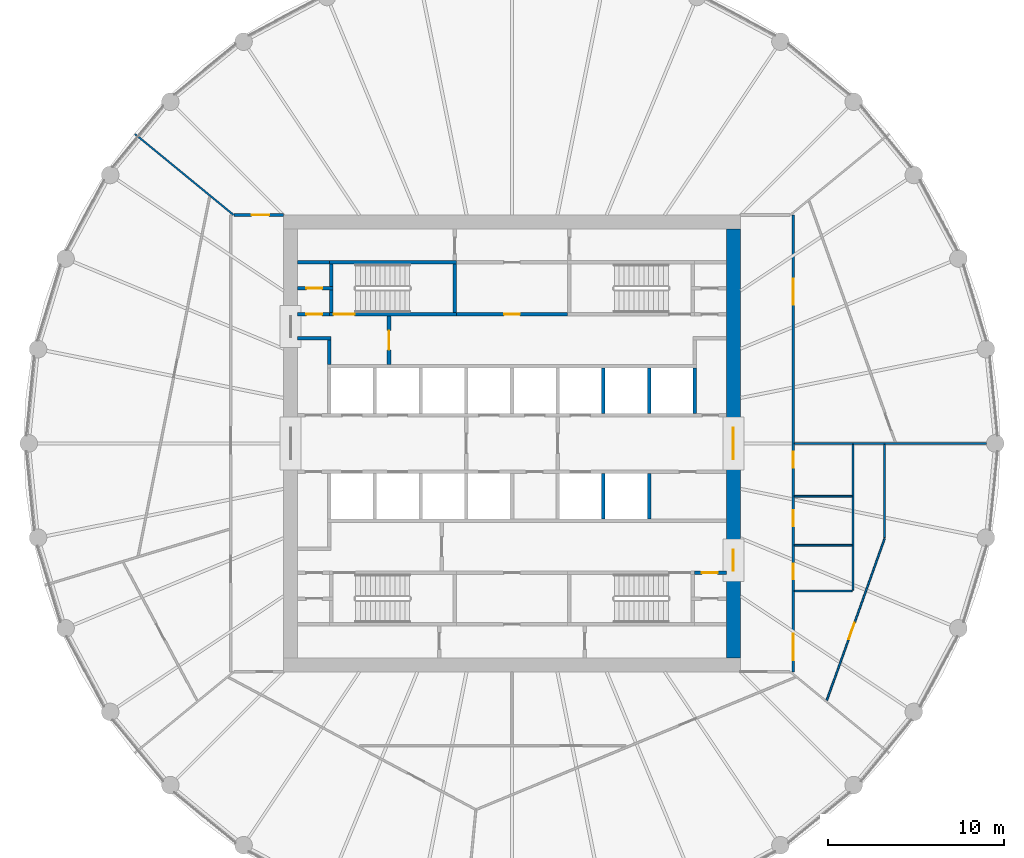
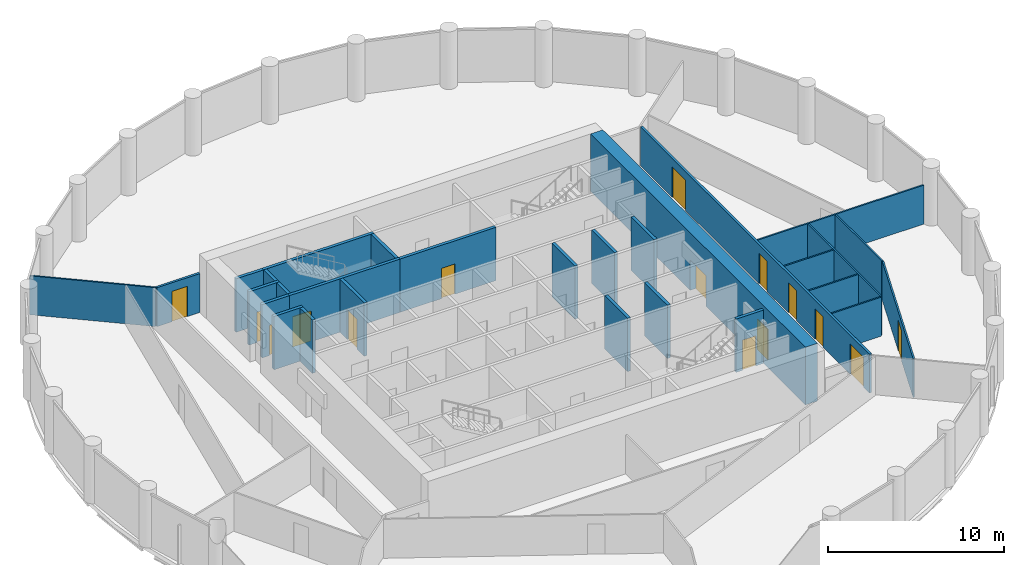
# One storey, part 6 of 8: 29 walls, 15 doors, 15 openings.
"""IFC4 building model written with IfcOpenShell, lengths in metres."""

import ifcopenshell
import ifcopenshell.guid

model = None  # the IFC model being written
_history = None  # IfcOwnerHistory: only IFC2X3 demands one
_inside = {}  # id of a spatial element -> (the spatial element, [elements in it])
_under = {}  # id of a project, library or spatial element -> (it, [spatial elements below it])
_declared = {}  # id of a project -> (the project, [libraries it declares])
_typed = {}  # id of a type object -> (the type object, [elements of that type])
_made_of = {}  # id of a material, layer set ... -> (it, [elements and type objects made of it])


def new_model(schema):
    """Start an empty IFC model of exactly this schema.

    Asked for "IFC4X3", IfcOpenShell would pick the latest addendum, in which some entities
    have other attributes; the version numbers below select the first issue.
    IFC2X3 requires an IfcOwnerHistory on every rooted entity: one is made here for all.
    """
    global model, _history
    if schema == "IFC4X3":
        model = ifcopenshell.file(schema_version=(4, 3, 0, 0))
    else:
        model = ifcopenshell.file(schema=schema)
    _inside.clear()
    _under.clear()
    _declared.clear()
    _typed.clear()
    _made_of.clear()
    _history = None
    if model.schema == "IFC2X3":
        org = make("IfcOrganization", Name="unknown")
        user = make(
            "IfcPersonAndOrganization",
            ThePerson=make("IfcPerson", FamilyName="unknown"),
            TheOrganization=org,
        )
        app = make(
            "IfcApplication",
            ApplicationDeveloper=org,
            Version="unknown",
            ApplicationFullName="unknown",
            ApplicationIdentifier="unknown",
        )
        _history = make(
            "IfcOwnerHistory",
            OwningUser=user,
            OwningApplication=app,
            ChangeAction="ADDED",
            CreationDate=0,
        )
    return model


def make(cls, **values):
    """One entity of the class cls with the attributes given. An attribute that is None is left unset."""
    return model.create_entity(
        cls, **{name: value for name, value in values.items() if value is not None}
    )


def rooted(cls, **values):
    """An entity with a GlobalId (a new one), such as an element, a storey or a relation."""
    return make(cls, GlobalId=ifcopenshell.guid.new(), OwnerHistory=_history, **values)


def si_unit(unit_type, name, prefix=None):
    """IfcSIUnit, for example si_unit("LENGTHUNIT", "METRE", prefix="MILLI")."""
    return make("IfcSIUnit", UnitType=unit_type, Prefix=prefix, Name=name)


def assignment(units):
    """IfcUnitAssignment: the units of a project."""
    return None if units is None else make("IfcUnitAssignment", Units=units)


def point(xyz):
    """IfcCartesianPoint."""
    return None if xyz is None else make("IfcCartesianPoint", Coordinates=xyz)


def direction(xyz):
    """IfcDirection."""
    return None if xyz is None else make("IfcDirection", DirectionRatios=xyz)


def frame(location, z_axis=None, x_axis=None):
    """IfcAxis2Placement3D, a coordinate frame: its origin and axes. An axis left out is left unset."""
    return make(
        "IfcAxis2Placement3D",
        Location=point(location),
        Axis=direction(z_axis),
        RefDirection=direction(x_axis),
    )


def frame_2d(location, x_axis=None):
    """IfcAxis2Placement2D, a coordinate frame in the plane: its origin and x axis."""
    return make(
        "IfcAxis2Placement2D", Location=point(location), RefDirection=direction(x_axis)
    )


def origin():
    """The frame at (0, 0, 0) with its axes left unset."""
    return frame((0.0, 0.0, 0.0))


def place(relative_to, where):
    """IfcLocalPlacement: puts the frame where relative to a parent placement (None: the world)."""
    return make(
        "IfcLocalPlacement", PlacementRelTo=relative_to, RelativePlacement=where
    )


def context(
    kind, dimensions, precision=None, world=None, true_north=None, identifier=None
):
    """IfcGeometricRepresentationContext, for example the 3D "Model" context."""
    return make(
        "IfcGeometricRepresentationContext",
        ContextIdentifier=identifier,
        ContextType=kind,
        CoordinateSpaceDimension=dimensions,
        Precision=precision,
        WorldCoordinateSystem=world,
        TrueNorth=true_north,
    )


def subcontext(parent, identifier, kind, view, scale=None):
    """IfcGeometricRepresentationSubContext, for example "Body" below "Model"."""
    return make(
        "IfcGeometricRepresentationSubContext",
        ContextIdentifier=identifier,
        ContextType=kind,
        ParentContext=parent,
        TargetScale=scale,
        TargetView=view,
    )


def project(units=None, contexts=None):
    """IfcProject with its units and contexts."""
    return rooted(
        "IfcProject",
        Name="project",
        RepresentationContexts=contexts,
        UnitsInContext=assignment(units),
    )


def spatial(cls, under=None, at=None, **own):
    """A site, building, storey or space (cls), placed at a placement, below another one or the project."""
    s = rooted(cls, ObjectPlacement=at, **own)
    if under is not None:
        _under.setdefault(under.id(), (under, []))[1].append(s)
    return s


def polyline(points):
    """IfcPolyline through the points."""
    return make("IfcPolyline", Points=[point(p) for p in points])


def profile(cls, at=None, kind="AREA", **sizes):
    """A parametric profile (cls). Its sizes go by their IFC names, for example OverallWidth=200.0."""
    return make(cls, ProfileType=kind, Position=at, **sizes)


def rectangle(**sizes):
    """IfcRectangleProfileDef."""
    return profile("IfcRectangleProfileDef", **sizes)


def outline(outer, holes=None, kind="AREA"):
    """IfcArbitraryClosedProfileDef: a profile drawn as a closed curve; with holes, ...WithVoids."""
    if holes is None:
        return make("IfcArbitraryClosedProfileDef", ProfileType=kind, OuterCurve=outer)
    return make(
        "IfcArbitraryProfileDefWithVoids",
        ProfileType=kind,
        OuterCurve=outer,
        InnerCurves=holes,
    )


def extrude(swept, where, along, depth):
    """IfcExtrudedAreaSolid: the profile swept, set in the frame where, extruded along a direction by depth."""
    return make(
        "IfcExtrudedAreaSolid",
        SweptArea=swept,
        Position=where,
        ExtrudedDirection=direction(along),
        Depth=depth,
    )


def shape(context_of_items, identifier, shape_type, items):
    """IfcShapeRepresentation: the items that make up one representation, for example the "Body"."""
    return make(
        "IfcShapeRepresentation",
        ContextOfItems=context_of_items,
        RepresentationIdentifier=identifier,
        RepresentationType=shape_type,
        Items=items,
    )


def material(Name=None, Category=None):
    """IfcMaterial."""
    return make("IfcMaterial", Name=Name, Category=Category)


def layer(
    of_material, thickness, ventilated=None, Name=None, Category=None, Priority=None
):
    """IfcMaterialLayer: one layer of a wall or slab, of a material (None: an air gap)."""
    return make(
        "IfcMaterialLayer",
        Material=of_material,
        LayerThickness=thickness,
        IsVentilated=ventilated,
        Name=Name,
        Category=Category,
        Priority=Priority,
    )


def layer_set(layers, Name=None):
    """IfcMaterialLayerSet."""
    return make("IfcMaterialLayerSet", MaterialLayers=layers, LayerSetName=Name)


def made_of(thing, what):
    """Note that an element or type object is made of a material, layer set ...; save() writes the relation."""
    if what is not None:
        _made_of.setdefault(what.id(), (what, []))[1].append(thing)
    return thing


def type_object(cls, material=None, **own):
    """A type object (cls), such as IfcWallType, which elements share."""
    return made_of(rooted(cls, **own), material)


def element(
    cls,
    number,
    at=None,
    inside=None,
    cuts=None,
    type_object=None,
    material=None,
    context=None,
    identifier="Body",
    shape_type=None,
    held_by="IfcProductDefinitionShape",
    body=None,
    shapes=None,
    **own,
):
    """One element of the class cls, such as IfcWall. Its Tag is "e" and its number.

    at: its placement. inside: the storey or other place that contains it. cuts: it is an
    opening in that element (IfcRelVoidsElement). A single representation is given by context,
    identifier, shape_type and body (its items); several are given by shapes. held_by: the class
    of the entity that holds the representations. save() writes the other relations.
    """
    e = rooted(cls, Tag="e%d" % number, ObjectPlacement=at, **own)
    if body is not None:
        shapes = [shape(context, identifier, shape_type, body)]
    if shapes is not None:
        e.Representation = make(held_by, Representations=shapes)
    if inside is not None:
        _inside.setdefault(inside.id(), (inside, []))[1].append(e)
    if cuts is not None:
        rooted(
            "IfcRelVoidsElement", RelatingBuildingElement=cuts, RelatedOpeningElement=e
        )
    if type_object is not None:
        _typed.setdefault(type_object.id(), (type_object, []))[1].append(e)
    return made_of(e, material)


def fill(opening, filler):
    """IfcRelFillsElement: the door or window that sits in an opening."""
    return rooted(
        "IfcRelFillsElement",
        RelatingOpeningElement=opening,
        RelatedBuildingElement=filler,
    )


def aggregate(whole, parts):
    """IfcRelAggregates: a whole, such as a stair, and the parts it consists of."""
    return rooted("IfcRelAggregates", RelatingObject=whole, RelatedObjects=parts)


def save(model, path):
    """Write the relations noted so far, then the file.

    IfcRelAggregates (storeys below a building ...), IfcRelContainedInSpatialStructure (elements
    in a storey), IfcRelDefinesByType, IfcRelAssociatesMaterial and IfcRelDeclares: one each for
    every whole, place, type object, material and project.
    """
    for whole, parts in _under.values():
        aggregate(whole, parts)
    for where, things in _inside.values():
        rooted(
            "IfcRelContainedInSpatialStructure",
            RelatedElements=things,
            RelatingStructure=where,
        )
    for kind, things in _typed.values():
        rooted("IfcRelDefinesByType", RelatedObjects=things, RelatingType=kind)
    for what, things in _made_of.values():
        rooted("IfcRelAssociatesMaterial", RelatedObjects=things, RelatingMaterial=what)
    for by, libraries in _declared.values():
        rooted("IfcRelDeclares", RelatingContext=by, RelatedDefinitions=libraries)
    model.write(path)


model = new_model("IFC4")

# Units and contexts
model_context = context("Model", 3, precision=1e-05, world=origin(), true_north=direction((0.0, 1.0)))
body_context = subcontext(model_context, "Body", "Model", "MODEL_VIEW")
ifc_project = project(units=[si_unit("LENGTHUNIT", "METRE"), si_unit("AREAUNIT", "SQUARE_METRE"), si_unit("VOLUMEUNIT", "CUBIC_METRE"), si_unit("PLANEANGLEUNIT", "RADIAN"), si_unit("MASSUNIT", "GRAM", prefix="KILO")], contexts=[model_context])

# Site, building, storey
site_placement = place(None, origin())
site = spatial("IfcSite", under=ifc_project, at=site_placement, CompositionType="ELEMENT")
building_placement = place(site_placement, origin())
building = spatial("IfcBuilding", under=site, at=building_placement, Name="Corvane Civic Tower", CompositionType="ELEMENT")
storey_placement = place(building_placement, frame((0.0, 0.0, 205.5)))
storey = spatial("IfcBuildingStorey", under=building, at=storey_placement, Name="L48", CompositionType="ELEMENT", Elevation=205.5)

# Wall, openings, doors
ifc_material_1 = material(Name="Concrete C50/60", Category="concrete")
ifc_layer_1 = layer(ifc_material_1, 0.800048828125)
ifc_layer_set_1 = layer_set([ifc_layer_1], Name="Concrete C50/60")
wall_type_1 = type_object("IfcWallType", Name="CORE WALL 800 C50/60", PredefinedType="SHEAR", material=ifc_layer_set_1)
wall_1_placement = place(storey_placement, frame((12.60009765625, -12.199951171875, 0.0), z_axis=(0.0, 0.0, 1.0), x_axis=(0.0, 1.0, 0.0)))
wall_1 = element("IfcWall", 1, at=wall_1_placement, inside=storey, type_object=wall_type_1, Name="W-L48-core-E", PredefinedType="SHEAR", context=body_context, shape_type="SweptSolid", body=[
    extrude(rectangle(XDim=24.39990234375, YDim=0.800048828125, at=frame_2d((12.199951171875, 0.0))), origin(), (0.0, 0.0, 1.0), 4.0),
])
opening_1_placement = place(wall_1_placement, frame((11.300048828125, 0.0, 0.0)))
opening_1 = element("IfcOpeningElement", 2, at=opening_1_placement, cuts=wall_1, Name="Opening L48.C31", PredefinedType="OPENING", context=body_context, shape_type="SweptSolid", body=[
    extrude(rectangle(XDim=1.800048828125, YDim=2.10009765625, at=frame_2d((0.89990234375, 1.050048828125))), frame((0.0, 0.409912109375, 0.0), z_axis=(0.0, -1.0, 0.0), x_axis=(1.0, 0.0, 0.0)), (0.0, 0.0, 1.0), 0.820068359375),
])
opening_2_placement = place(wall_1_placement, frame((4.949951171875, 0.0, 0.0)))
opening_2 = element("IfcOpeningElement", 3, at=opening_2_placement, cuts=wall_1, Name="Opening L48.C33", PredefinedType="OPENING", context=body_context, shape_type="SweptSolid", body=[
    extrude(rectangle(XDim=1.199951171875, YDim=2.10009765625, at=frame_2d((0.60009765625, 1.050048828125))), frame((0.0, 0.409912109375, 0.0), z_axis=(0.0, -1.0, 0.0), x_axis=(1.0, 0.0, 0.0)), (0.0, 0.0, 1.0), 0.820068359375),
])
ifc_material_2 = material(Name="Steel fire door leaf", Category="steel")
door_type_1 = type_object("IfcDoorType", Name="CR-DOOR-CORE-1800", OperationType="DOUBLE_DOOR_SINGLE_SWING", PredefinedType="DOOR", material=ifc_material_2)
door_1_placement = place(opening_1_placement, origin())
door_1 = element("IfcDoor", 4, at=door_1_placement, inside=storey, type_object=door_type_1, Name="L48 door", OperationType="DOUBLE_DOOR_SINGLE_SWING", OverallHeight=2.10009765625, OverallWidth=1.800048828125, PredefinedType="DOOR", context=body_context, shape_type="SweptSolid", body=[
    extrude(rectangle(XDim=1.800048828125, YDim=2.10009765625, at=frame_2d((0.89990234375, 1.050048828125))), frame((0.0, 0.02490234375, 0.0), z_axis=(0.0, -1.0, 0.0), x_axis=(1.0, 0.0, 0.0)), (0.0, 0.0, 1.0), 0.050048828125),
])
fill(opening_1, door_1)
door_2_placement = place(opening_2_placement, origin())
door_2 = element("IfcDoor", 5, at=door_2_placement, inside=storey, type_object=door_type_1, Name="L48 door", OperationType="DOUBLE_DOOR_SINGLE_SWING", OverallHeight=2.10009765625, OverallWidth=1.199951171875, PredefinedType="DOOR", context=body_context, shape_type="SweptSolid", body=[
    extrude(rectangle(XDim=1.199951171875, YDim=2.10009765625, at=frame_2d((0.60009765625, 1.050048828125))), frame((0.0, 0.02490234375, 0.0), z_axis=(0.0, -1.0, 0.0), x_axis=(1.0, 0.0, 0.0)), (0.0, 0.0, 1.0), 0.050048828125),
])
fill(opening_2, door_2)

# Wall, opening, door
ifc_material_3 = material(Name="Concrete C30/37", Category="concrete")
ifc_layer_2 = layer(ifc_material_3, 0.199951171875)
ifc_layer_set_2 = layer_set([ifc_layer_2], Name="Concrete C30/37")
wall_type_2 = type_object("IfcWallType", Name="CR-WALL-200", PredefinedType="PARTITIONING", material=ifc_layer_set_2)
wall_2_placement = place(storey_placement, frame((10.39990234375, -7.35009765625, 0.0), z_axis=(0.0, 0.0, 1.0), x_axis=(1.0, 0.0, 0.0)))
wall_2 = element("IfcWall", 6, at=wall_2_placement, inside=storey, type_object=wall_type_2, Name="L48 core partition wall", PredefinedType="PARTITIONING", context=body_context, shape_type="SweptSolid", body=[
    extrude(rectangle(XDim=1.800048828125, YDim=0.199951171875, at=frame_2d((0.89990234375, 0.0))), origin(), (0.0, 0.0, 1.0), 3.699951171875),
])
opening_3_placement = place(wall_2_placement, frame((0.39990234375, 0.0, 0.0)))
opening_3 = element("IfcOpeningElement", 7, at=opening_3_placement, cuts=wall_2, Name="Opening L48.C20", PredefinedType="OPENING", context=body_context, shape_type="SweptSolid", body=[
    extrude(rectangle(XDim=0.89990234375, YDim=2.10009765625, at=frame_2d((0.449951171875, 1.050048828125))), frame((0.0, 0.10986328125, 0.0), z_axis=(0.0, -1.0, 0.0), x_axis=(1.0, 0.0, 0.0)), (0.0, 0.0, 1.0), 0.219970703125),
])
ifc_material_4 = material(Name="Steel fire door leaf", Category="steel")
door_type_2 = type_object("IfcDoorType", Name="CR-DOOR-900", OperationType="SINGLE_SWING_LEFT", PredefinedType="DOOR", material=ifc_material_4)
door_3_placement = place(opening_3_placement, origin())
door_3 = element("IfcDoor", 8, at=door_3_placement, inside=storey, type_object=door_type_2, Name="L48 door", OperationType="SINGLE_SWING_LEFT", OverallHeight=2.10009765625, OverallWidth=0.89990234375, PredefinedType="DOOR", context=body_context, shape_type="SweptSolid", body=[
    extrude(rectangle(XDim=0.89990234375, YDim=2.10009765625, at=frame_2d((0.449951171875, 1.050048828125))), frame((0.0, 0.02490234375, 0.0), z_axis=(0.0, -1.0, 0.0), x_axis=(1.0, 0.0, 0.0)), (0.0, 0.0, 1.0), 0.050048828125),
])
fill(opening_3, door_3)

wall_3_placement = place(storey_placement, frame((-12.199951171875, 7.35009765625, 0.0), z_axis=(0.0, 0.0, 1.0), x_axis=(1.0, 0.0, 0.0)))
wall_3 = element("IfcWall", 9, at=wall_3_placement, inside=storey, type_object=wall_type_2, Name="L48 core partition wall", PredefinedType="PARTITIONING", context=body_context, shape_type="SweptSolid", body=[
    extrude(rectangle(XDim=1.800048828125, YDim=0.199951171875, at=frame_2d((0.89990234375, 0.0))), origin(), (0.0, 0.0, 1.0), 3.699951171875),
])
opening_4_placement = place(wall_3_placement, frame((0.5, 0.0, 0.0)))
opening_4 = element("IfcOpeningElement", 10, at=opening_4_placement, cuts=wall_3, Name="Opening L48.C14", PredefinedType="OPENING", context=body_context, shape_type="SweptSolid", body=[
    extrude(rectangle(XDim=0.89990234375, YDim=2.10009765625, at=frame_2d((0.449951171875, 1.050048828125))), frame((0.0, 0.10986328125, 0.0), z_axis=(0.0, -1.0, 0.0), x_axis=(1.0, 0.0, 0.0)), (0.0, 0.0, 1.0), 0.219970703125),
])
door_4_placement = place(opening_4_placement, origin())
door_4 = element("IfcDoor", 11, at=door_4_placement, inside=storey, type_object=door_type_2, Name="L48 door", OperationType="SINGLE_SWING_LEFT", OverallHeight=2.10009765625, OverallWidth=0.89990234375, PredefinedType="DOOR", context=body_context, shape_type="SweptSolid", body=[
    extrude(rectangle(XDim=0.89990234375, YDim=2.10009765625, at=frame_2d((0.449951171875, 1.050048828125))), frame((0.0, 0.02490234375, 0.0), z_axis=(0.0, -1.0, 0.0), x_axis=(1.0, 0.0, 0.0)), (0.0, 0.0, 1.0), 0.050048828125),
])
fill(opening_4, door_4)

wall_4_placement = place(storey_placement, frame((-3.14990234375, 7.35009765625, 0.0), z_axis=(0.0, 0.0, 1.0), x_axis=(1.0, 0.0, 0.0)))
wall_4 = element("IfcWall", 12, at=wall_4_placement, inside=storey, type_object=wall_type_2, Name="L48 core partition wall", PredefinedType="PARTITIONING", context=body_context, shape_type="SweptSolid", body=[
    extrude(rectangle(XDim=6.2998046875, YDim=0.199951171875, at=frame_2d((3.14990234375, 0.0))), origin(), (0.0, 0.0, 1.0), 3.699951171875),
])
opening_5_placement = place(wall_4_placement, frame((2.699951171875, 0.0, 0.0)))
opening_5 = element("IfcOpeningElement", 13, at=opening_5_placement, cuts=wall_4, Name="Opening L48.C06", PredefinedType="OPENING", context=body_context, shape_type="SweptSolid", body=[
    extrude(rectangle(XDim=0.89990234375, YDim=2.10009765625, at=frame_2d((0.449951171875, 1.050048828125))), frame((0.0, 0.10986328125, 0.0), z_axis=(0.0, -1.0, 0.0), x_axis=(1.0, 0.0, 0.0)), (0.0, 0.0, 1.0), 0.219970703125),
])
door_5_placement = place(opening_5_placement, origin())
door_5 = element("IfcDoor", 14, at=door_5_placement, inside=storey, type_object=door_type_2, Name="L48 door", OperationType="SINGLE_SWING_LEFT", OverallHeight=2.10009765625, OverallWidth=0.89990234375, PredefinedType="DOOR", context=body_context, shape_type="SweptSolid", body=[
    extrude(rectangle(XDim=0.89990234375, YDim=2.10009765625, at=frame_2d((0.449951171875, 1.050048828125))), frame((0.0, 0.02490234375, 0.0), z_axis=(0.0, -1.0, 0.0), x_axis=(1.0, 0.0, 0.0)), (0.0, 0.0, 1.0), 0.050048828125),
])
fill(opening_5, door_5)

wall_5_placement = place(storey_placement, frame((-12.199951171875, 8.824951171875, 0.0), z_axis=(0.0, 0.0, 1.0), x_axis=(1.0, 0.0, 0.0)))
wall_5 = element("IfcWall", 15, at=wall_5_placement, inside=storey, type_object=wall_type_2, Name="L48 partition wall", PredefinedType="PARTITIONING", context=body_context, shape_type="SweptSolid", body=[
    extrude(rectangle(XDim=2.0, YDim=0.199951171875, at=frame_2d((1.0, 0.0))), origin(), (0.0, 0.0, 1.0), 3.699951171875),
])
opening_6_placement = place(wall_5_placement, frame((0.5, 0.0, 0.0)))
opening_6 = element("IfcOpeningElement", 16, at=opening_6_placement, cuts=wall_5, Name="Opening L48.C15", PredefinedType="OPENING", context=body_context, shape_type="SweptSolid", body=[
    extrude(rectangle(XDim=0.89990234375, YDim=2.10009765625, at=frame_2d((0.449951171875, 1.050048828125))), frame((0.0, 0.10986328125, 0.0), z_axis=(0.0, -1.0, 0.0), x_axis=(1.0, 0.0, 0.0)), (0.0, 0.0, 1.0), 0.219970703125),
])
door_6_placement = place(opening_6_placement, origin())
door_6 = element("IfcDoor", 17, at=door_6_placement, inside=storey, type_object=door_type_2, Name="L48 door", OperationType="SINGLE_SWING_LEFT", OverallHeight=2.10009765625, OverallWidth=0.89990234375, PredefinedType="DOOR", context=body_context, shape_type="SweptSolid", body=[
    extrude(rectangle(XDim=0.89990234375, YDim=2.10009765625, at=frame_2d((0.449951171875, 1.050048828125))), frame((0.0, 0.02490234375, 0.0), z_axis=(0.0, -1.0, 0.0), x_axis=(1.0, 0.0, 0.0)), (0.0, 0.0, 1.0), 0.050048828125),
])
fill(opening_6, door_6)

wall_6_placement = place(storey_placement, frame((-7.0, 4.5, 0.0), z_axis=(0.0, 0.0, 1.0), x_axis=(0.0, 1.0, 0.0)))
wall_6 = element("IfcWall", 18, at=wall_6_placement, inside=storey, type_object=wall_type_2, Name="L48 core partition wall", PredefinedType="PARTITIONING", context=body_context, shape_type="SweptSolid", body=[
    extrude(rectangle(XDim=2.75, YDim=0.199951171875, at=frame_2d((1.375, 0.0))), origin(), (0.0, 0.0, 1.0), 3.699951171875),
])
opening_7_placement = place(wall_6_placement, frame((0.824951171875, 0.0, 0.0)))
opening_7 = element("IfcOpeningElement", 19, at=opening_7_placement, cuts=wall_6, Name="Opening L48.C28", PredefinedType="OPENING", context=body_context, shape_type="SweptSolid", body=[
    extrude(rectangle(XDim=1.10009765625, YDim=2.10009765625, at=frame_2d((0.550048828125, 1.050048828125))), frame((0.0, 0.10986328125, 0.0), z_axis=(0.0, -1.0, 0.0), x_axis=(1.0, 0.0, 0.0)), (0.0, 0.0, 1.0), 0.219970703125),
])
ifc_material_5 = material(Name="Steel fire door leaf", Category="steel")
door_type_3 = type_object("IfcDoorType", Name="CR-DOOR-FFL-1100", OperationType="SINGLE_SWING_LEFT", PredefinedType="DOOR", material=ifc_material_5)
door_7_placement = place(opening_7_placement, origin())
door_7 = element("IfcDoor", 20, at=door_7_placement, inside=storey, type_object=door_type_3, Name="L48 lobby door", OperationType="SINGLE_SWING_LEFT", OverallHeight=2.10009765625, OverallWidth=1.10009765625, PredefinedType="DOOR", context=body_context, shape_type="SweptSolid", body=[
    extrude(rectangle(XDim=1.10009765625, YDim=2.10009765625, at=frame_2d((0.550048828125, 1.050048828125))), frame((0.0, 0.02490234375, 0.0), z_axis=(0.0, -1.0, 0.0), x_axis=(1.0, 0.0, 0.0)), (0.0, 0.0, 1.0), 0.050048828125),
])
fill(opening_7, door_7)

# Walls
wall_7_placement = place(storey_placement, origin())
element("IfcWall", 21, at=wall_7_placement, inside=storey, type_object=wall_type_2, Name="L48 core partition wall", PredefinedType="PARTITIONING", context=body_context, shape_type="SweptSolid", body=[
    extrude(outline(polyline([(5.300048828125, -1.699951171875), (5.300048828125, -4.2998046875), (5.10009765625, -4.2998046875), (5.10009765625, -1.699951171875), (5.300048828125, -1.699951171875)])), origin(), (0.0, 0.0, 1.0), 3.699951171875),
])
wall_8_placement = place(storey_placement, origin())
element("IfcWall", 22, at=wall_8_placement, inside=storey, type_object=wall_type_2, Name="L48 core partition wall", PredefinedType="PARTITIONING", context=body_context, shape_type="SweptSolid", body=[
    extrude(outline(polyline([(7.89990234375, -1.699951171875), (7.89990234375, -4.2998046875), (7.699951171875, -4.2998046875), (7.699951171875, -1.699951171875), (7.89990234375, -1.699951171875)])), origin(), (0.0, 0.0, 1.0), 3.699951171875),
])
wall_9_placement = place(storey_placement, origin())
element("IfcWall", 23, at=wall_9_placement, inside=storey, type_object=wall_type_2, Name="L48 core partition wall", PredefinedType="PARTITIONING", context=body_context, shape_type="SweptSolid", body=[
    extrude(outline(polyline([(5.300048828125, 1.699951171875), (5.10009765625, 1.699951171875), (5.10009765625, 4.2998046875), (5.300048828125, 4.2998046875), (5.300048828125, 1.699951171875)])), origin(), (0.0, 0.0, 1.0), 3.699951171875),
])
wall_10_placement = place(storey_placement, origin())
element("IfcWall", 24, at=wall_10_placement, inside=storey, type_object=wall_type_2, Name="L48 core partition wall", PredefinedType="PARTITIONING", context=body_context, shape_type="SweptSolid", body=[
    extrude(outline(polyline([(7.89990234375, 1.699951171875), (7.699951171875, 1.699951171875), (7.699951171875, 4.2998046875), (7.89990234375, 4.2998046875), (7.89990234375, 1.699951171875)])), origin(), (0.0, 0.0, 1.0), 3.699951171875),
])
wall_11_placement = place(storey_placement, origin())
element("IfcWall", 25, at=wall_11_placement, inside=storey, type_object=wall_type_2, Name="L48 core partition wall", PredefinedType="PARTITIONING", context=body_context, shape_type="SweptSolid", body=[
    extrude(outline(polyline([(10.5, 1.699951171875), (10.300048828125, 1.699951171875), (10.300048828125, 4.2998046875), (10.5, 4.2998046875), (10.5, 1.699951171875)])), origin(), (0.0, 0.0, 1.0), 3.699951171875),
])
wall_12_placement = place(storey_placement, origin())
element("IfcWall", 26, at=wall_12_placement, inside=storey, type_object=wall_type_2, Name="L48 core partition wall", PredefinedType="PARTITIONING", context=body_context, shape_type="SweptSolid", body=[
    extrude(outline(polyline([(-10.300048828125, 5.89990234375), (-12.199951171875, 5.89990234375), (-12.199951171875, 6.10009765625), (-10.300048828125, 6.10009765625), (-10.300048828125, 5.89990234375)])), origin(), (0.0, 0.0, 1.0), 3.699951171875),
])
wall_13_placement = place(storey_placement, origin())
element("IfcWall", 27, at=wall_13_placement, inside=storey, type_object=wall_type_2, Name="L48 core partition wall", PredefinedType="PARTITIONING", context=body_context, shape_type="SweptSolid", body=[
    extrude(outline(polyline([(-10.300048828125, 4.5), (-10.5, 4.5), (-10.5, 5.89990234375), (-10.300048828125, 5.89990234375), (-10.300048828125, 4.5)])), origin(), (0.0, 0.0, 1.0), 3.699951171875),
])
wall_14_placement = place(storey_placement, origin())
element("IfcWall", 28, at=wall_14_placement, inside=storey, type_object=wall_type_2, Name="L48 core partition wall", PredefinedType="PARTITIONING", context=body_context, shape_type="SweptSolid", body=[
    extrude(outline(polyline([(-12.199951171875, 10.199951171875), (-12.199951171875, 10.39990234375), (-10.39990234375, 10.39990234375), (-10.39990234375, 10.199951171875), (-12.199951171875, 10.199951171875)])), origin(), (0.0, 0.0, 1.0), 3.699951171875),
])

# Wall, opening, door
ifc_material_6 = material(Name="Plasterboard")
ifc_layer_3 = layer(ifc_material_6, 0.10009765625)
ifc_layer_set_3 = layer_set([ifc_layer_3], Name="Plasterboard")
wall_type_3 = type_object("IfcWallType", Name="Partition 100 plasterboard on studs", PredefinedType="PARTITIONING", material=ifc_layer_set_3)
wall_15_placement = place(storey_placement, frame((17.9150390625, -14.615966796875, 0.0), z_axis=(0.0, 0.0, 1.0), x_axis=(0.336883952747, 0.941546176447, 0.0)))
wall_15 = element("IfcWall", 29, at=wall_15_placement, inside=storey, type_object=wall_type_3, Name="Partition L48.009", PredefinedType="PARTITIONING", context=body_context, shape_type="SweptSolid", body=[
    extrude(rectangle(XDim=9.77197265625, YDim=0.10009765625, at=frame_2d((4.885986328125, 0.0))), origin(), (0.0, 0.0, 1.0), 2.699951171875),
])
opening_8_placement = place(wall_15_placement, frame((3.68212890625, 0.0, 0.0)))
opening_8 = element("IfcOpeningElement", 30, at=opening_8_placement, cuts=wall_15, Name="Opening L48.009", PredefinedType="OPENING", context=body_context, shape_type="SweptSolid", body=[
    extrude(rectangle(XDim=1.0, YDim=2.10009765625, at=frame_2d((0.5, 1.050048828125))), frame((0.0, 0.06005859375, 0.0), z_axis=(0.0, -1.0, 0.0), x_axis=(1.0, 0.0, 0.0)), (0.0, 0.0, 1.0), 0.1201171875),
])
ifc_material_7 = material(Name="Timber", Category="wood")
door_type_4 = type_object("IfcDoorType", Name="Single door 1000", OperationType="NOTDEFINED", PredefinedType="DOOR", material=ifc_material_7)
door_8_placement = place(opening_8_placement, frame((1.0, 0.0, 0.0), z_axis=(0.0, 0.0, 1.0), x_axis=(-1.0, 0.0, 0.0)))
door_8 = element("IfcDoor", 31, at=door_8_placement, inside=storey, type_object=door_type_4, Name="Door L48.009", OperationType="SINGLE_SWING_LEFT", OverallHeight=2.10009765625, OverallWidth=1.0, PredefinedType="DOOR", context=body_context, shape_type="SweptSolid", body=[
    extrude(rectangle(XDim=1.0, YDim=2.10009765625, at=frame_2d((0.5, 1.050048828125))), frame((0.0, 0.02490234375, 0.0), z_axis=(0.0, -1.0, 0.0), x_axis=(1.0, 0.0, 0.0)), (0.0, 0.0, 1.0), 0.050048828125),
])
fill(opening_8, door_8)

# Walls
wall_16_placement = place(storey_placement, frame((16.074951171875, -8.39990234375, 0.0), z_axis=(0.0, 0.0, 1.0), x_axis=(1.0, 0.0, 0.0)))
element("IfcWall", 32, at=wall_16_placement, inside=storey, type_object=wall_type_3, Name="Partition L48.014", PredefinedType="PARTITIONING", context=body_context, shape_type="SweptSolid", body=[
    extrude(rectangle(XDim=3.275146484375, YDim=0.10009765625, at=frame_2d((1.6376953125, 0.0))), origin(), (0.0, 0.0, 1.0), 2.699951171875),
])
wall_17_placement = place(storey_placement, frame((19.39990234375, -8.35009765625, 0.0), z_axis=(0.0, 0.0, 1.0), x_axis=(0.0, 1.0, 0.0)))
element("IfcWall", 33, at=wall_17_placement, inside=storey, type_object=wall_type_3, Name="Partition L48.015", PredefinedType="PARTITIONING", context=body_context, shape_type="SweptSolid", body=[
    extrude(rectangle(XDim=8.300048828125, YDim=0.10009765625, at=frame_2d((4.14990234375, 0.0))), origin(), (0.0, 0.0, 1.0), 2.699951171875),
])
wall_18_placement = place(storey_placement, frame((16.074951171875, -5.800048828125, 0.0), z_axis=(0.0, 0.0, 1.0), x_axis=(1.0, 0.0, 0.0)))
element("IfcWall", 34, at=wall_18_placement, inside=storey, type_object=wall_type_3, Name="Partition L48.018", PredefinedType="PARTITIONING", context=body_context, shape_type="SweptSolid", body=[
    extrude(rectangle(XDim=3.275146484375, YDim=0.10009765625, at=frame_2d((1.6376953125, 0.0))), origin(), (0.0, 0.0, 1.0), 2.699951171875),
])
wall_19_placement = place(storey_placement, frame((21.199951171875, -5.36279296875, 0.0), z_axis=(0.0, 0.0, 1.0), x_axis=(0.0, 1.0, 0.0)))
element("IfcWall", 35, at=wall_19_placement, inside=storey, type_object=wall_type_3, Name="Partition L48.019", PredefinedType="PARTITIONING", context=body_context, shape_type="SweptSolid", body=[
    extrude(rectangle(XDim=5.312744140625, YDim=0.10009765625, at=frame_2d((2.65625, 0.0))), origin(), (0.0, 0.0, 1.0), 2.699951171875),
])
wall_20_placement = place(storey_placement, frame((16.074951171875, -3.0, 0.0), z_axis=(0.0, 0.0, 1.0), x_axis=(1.0, 0.0, 0.0)))
element("IfcWall", 36, at=wall_20_placement, inside=storey, type_object=wall_type_3, Name="Partition L48.020", PredefinedType="PARTITIONING", context=body_context, shape_type="SweptSolid", body=[
    extrude(rectangle(XDim=3.275146484375, YDim=0.10009765625, at=frame_2d((1.6376953125, 0.0))), origin(), (0.0, 0.0, 1.0), 2.699951171875),
])
wall_21_placement = place(storey_placement, frame((16.074951171875, 0.0, 0.0), z_axis=(0.0, 0.0, 1.0), x_axis=(1.0, 0.0, 0.0)))
element("IfcWall", 37, at=wall_21_placement, inside=storey, type_object=wall_type_3, Name="Partition L48.021", PredefinedType="PARTITIONING", context=body_context, shape_type="SweptSolid", body=[
    extrude(rectangle(XDim=10.9150390625, YDim=0.10009765625, at=frame_2d((5.45751953125, 0.0))), origin(), (0.0, 0.0, 1.0), 2.699951171875),
])
wall_22_placement = place(storey_placement, frame((-21.451171875, 17.6044921875, 0.0), z_axis=(0.0, 0.0, 1.0), x_axis=(0.773014432023, -0.634388436121, 0.0)))
element("IfcWall", 38, at=wall_22_placement, inside=storey, type_object=wall_type_3, Name="Partition L48.025", PredefinedType="PARTITIONING", context=body_context, shape_type="SweptSolid", body=[
    extrude(rectangle(XDim=7.239990234375, YDim=0.10009765625, at=frame_2d((3.6201171875, 0.0))), origin(), (0.0, 0.0, 1.0), 2.699951171875),
])

# Wall, opening, door
ifc_material_8 = material(Name="Concrete C50/60", Category="concrete")
ifc_layer_4 = layer(ifc_material_8, 0.199951171875)
ifc_layer_set_4 = layer_set([ifc_layer_4], Name="Concrete C50/60")
wall_type_4 = type_object("IfcWallType", Name="ST-WALL-200", PredefinedType="SHEAR", material=ifc_layer_set_4)
wall_23_placement = place(storey_placement, frame((-10.39990234375, 7.35009765625, 0.0), z_axis=(0.0, 0.0, 1.0), x_axis=(1.0, 0.0, 0.0)))
wall_23 = element("IfcWall", 39, at=wall_23_placement, inside=storey, type_object=wall_type_4, Name="L48 stair enclosure wall", PredefinedType="SHEAR", context=body_context, shape_type="SweptSolid", body=[
    extrude(rectangle(XDim=7.25, YDim=0.199951171875, at=frame_2d((3.625, 0.0))), origin(), (0.0, 0.0, 1.0), 3.699951171875),
])
opening_9_placement = place(wall_23_placement, frame((0.25, 0.0, 0.0)))
opening_9 = element("IfcOpeningElement", 40, at=opening_9_placement, cuts=wall_23, Name="Opening L48.C23", PredefinedType="OPENING", context=body_context, shape_type="SweptSolid", body=[
    extrude(rectangle(XDim=1.199951171875, YDim=2.10009765625, at=frame_2d((0.60009765625, 1.050048828125))), frame((0.0, 0.10986328125, 0.0), z_axis=(0.0, -1.0, 0.0), x_axis=(1.0, 0.0, 0.0)), (0.0, 0.0, 1.0), 0.219970703125),
])
ifc_material_9 = material(Name="Steel fire door leaf", Category="steel")
door_type_5 = type_object("IfcDoorType", Name="ST-DOOR-1200", OperationType="SINGLE_SWING_RIGHT", PredefinedType="DOOR", material=ifc_material_9)
door_9_placement = place(opening_9_placement, origin())
door_9 = element("IfcDoor", 41, at=door_9_placement, inside=storey, type_object=door_type_5, Name="L48 stair door", OperationType="SINGLE_SWING_RIGHT", OverallHeight=2.10009765625, OverallWidth=1.199951171875, PredefinedType="DOOR", context=body_context, shape_type="SweptSolid", body=[
    extrude(rectangle(XDim=1.199951171875, YDim=2.10009765625, at=frame_2d((0.60009765625, 1.050048828125))), frame((0.0, 0.02490234375, 0.0), z_axis=(0.0, -1.0, 0.0), x_axis=(1.0, 0.0, 0.0)), (0.0, 0.0, 1.0), 0.050048828125),
])
fill(opening_9, door_9)

# Walls
wall_24_placement = place(storey_placement, origin())
element("IfcWall", 42, at=wall_24_placement, inside=storey, type_object=wall_type_4, Name="L48 stair enclosure wall", PredefinedType="SHEAR", context=body_context, shape_type="SweptSolid", body=[
    extrude(outline(polyline([(-3.14990234375, 10.199951171875), (-10.39990234375, 10.199951171875), (-10.39990234375, 10.39990234375), (-3.14990234375, 10.39990234375), (-3.14990234375, 10.199951171875)])), origin(), (0.0, 0.0, 1.0), 3.699951171875),
])
wall_25_placement = place(storey_placement, origin())
element("IfcWall", 43, at=wall_25_placement, inside=storey, type_object=wall_type_4, Name="L48 stair enclosure wall", PredefinedType="SHEAR", context=body_context, shape_type="SweptSolid", body=[
    extrude(outline(polyline([(-3.14990234375, 7.449951171875), (-3.35009765625, 7.449951171875), (-3.35009765625, 10.199951171875), (-3.14990234375, 10.199951171875), (-3.14990234375, 7.449951171875)])), origin(), (0.0, 0.0, 1.0), 3.699951171875),
])
wall_26_placement = place(storey_placement, origin())
element("IfcWall", 44, at=wall_26_placement, inside=storey, type_object=wall_type_4, Name="L48 stair enclosure wall", PredefinedType="SHEAR", context=body_context, shape_type="SweptSolid", body=[
    extrude(outline(polyline([(-10.199951171875, 8.72509765625), (-10.199951171875, 7.449951171875), (-10.39990234375, 7.449951171875), (-10.39990234375, 8.72509765625), (-10.199951171875, 8.72509765625)])), origin(), (0.0, 0.0, 1.0), 3.699951171875),
])
wall_27_placement = place(storey_placement, origin())
element("IfcWall", 45, at=wall_27_placement, inside=storey, type_object=wall_type_4, Name="L48 stair enclosure wall", PredefinedType="SHEAR", context=body_context, shape_type="SweptSolid", body=[
    extrude(outline(polyline([(-10.199951171875, 8.925048828125), (-10.39990234375, 8.925048828125), (-10.39990234375, 10.199951171875), (-10.199951171875, 10.199951171875), (-10.199951171875, 8.925048828125)])), origin(), (0.0, 0.0, 1.0), 3.699951171875),
])

# Wall, openings, doors
ifc_material_10 = material(Name="Plasterboard")
ifc_layer_5 = layer(ifc_material_10, 0.14990234375)
ifc_layer_set_5 = layer_set([ifc_layer_5], Name="Plasterboard")
wall_type_5 = type_object("IfcWallType", Name="Tenancy wall 150 EI 60", PredefinedType="PARTITIONING", material=ifc_layer_set_5)
wall_28_placement = place(storey_placement, frame((16.0, -13.0, 0.0), z_axis=(0.0, 0.0, 1.0), x_axis=(0.0, 1.0, 0.0)))
wall_28 = element("IfcWall", 46, at=wall_28_placement, inside=storey, type_object=wall_type_5, Name="Partition L48.013", PredefinedType="PARTITIONING", context=body_context, shape_type="SweptSolid", body=[
    extrude(rectangle(XDim=26.0, YDim=0.14990234375, at=frame_2d((13.0, 0.0))), origin(), (0.0, 0.0, 1.0), 2.699951171875),
])
opening_10_placement = place(wall_28_placement, frame((20.885986328125, 0.0, 0.0)))
opening_10 = element("IfcOpeningElement", 47, at=opening_10_placement, cuts=wall_28, Name="Opening L48.008", PredefinedType="OPENING", context=body_context, shape_type="SweptSolid", body=[
    extrude(rectangle(XDim=1.5, YDim=2.10009765625, at=frame_2d((0.75, 1.050048828125))), frame((0.0, 0.0849609375, 0.0), z_axis=(0.0, -1.0, 0.0), x_axis=(1.0, 0.0, 0.0)), (0.0, 0.0, 1.0), 0.169921875),
])
opening_11_placement = place(wall_28_placement, frame((0.673828125, 0.0, 0.0)))
opening_11 = element("IfcOpeningElement", 48, at=opening_11_placement, cuts=wall_28, Name="Opening L48.010", PredefinedType="OPENING", context=body_context, shape_type="SweptSolid", body=[
    extrude(rectangle(XDim=1.5, YDim=2.10009765625, at=frame_2d((0.75, 1.050048828125))), frame((0.0, 0.0849609375, 0.0), z_axis=(0.0, -1.0, 0.0), x_axis=(1.0, 0.0, 0.0)), (0.0, 0.0, 1.0), 0.169921875),
])
opening_12_placement = place(wall_28_placement, frame((11.62451171875, 0.0, 0.0)))
opening_12 = element("IfcOpeningElement", 49, at=opening_12_placement, cuts=wall_28, Name="Opening L48.011", PredefinedType="OPENING", context=body_context, shape_type="SweptSolid", body=[
    extrude(rectangle(XDim=0.89990234375, YDim=2.10009765625, at=frame_2d((0.449951171875, 1.050048828125))), frame((0.0, 0.0849609375, 0.0), z_axis=(0.0, -1.0, 0.0), x_axis=(1.0, 0.0, 0.0)), (0.0, 0.0, 1.0), 0.169921875),
])
opening_13_placement = place(wall_28_placement, frame((8.291259765625, 0.0, 0.0)))
opening_13 = element("IfcOpeningElement", 50, at=opening_13_placement, cuts=wall_28, Name="Opening L48.012", PredefinedType="OPENING", context=body_context, shape_type="SweptSolid", body=[
    extrude(rectangle(XDim=0.89990234375, YDim=2.10009765625, at=frame_2d((0.449951171875, 1.050048828125))), frame((0.0, 0.0849609375, 0.0), z_axis=(0.0, -1.0, 0.0), x_axis=(1.0, 0.0, 0.0)), (0.0, 0.0, 1.0), 0.169921875),
])
opening_14_placement = place(wall_28_placement, frame((5.266357421875, 0.0, 0.0)))
opening_14 = element("IfcOpeningElement", 51, at=opening_14_placement, cuts=wall_28, Name="Opening L48.013", PredefinedType="OPENING", context=body_context, shape_type="SweptSolid", body=[
    extrude(rectangle(XDim=0.89990234375, YDim=2.10009765625, at=frame_2d((0.449951171875, 1.050048828125))), frame((0.0, 0.0849609375, 0.0), z_axis=(0.0, -1.0, 0.0), x_axis=(1.0, 0.0, 0.0)), (0.0, 0.0, 1.0), 0.169921875),
])
ifc_material_11 = material(Name="Steel and timber", Category="steel")
door_type_6 = type_object("IfcDoorType", Name="Fire door FD30S 900", OperationType="NOTDEFINED", PredefinedType="DOOR", material=ifc_material_11)
door_10_placement = place(opening_12_placement, frame((0.89990234375, 0.0, 0.0), z_axis=(0.0, 0.0, 1.0), x_axis=(-1.0, 0.0, 0.0)))
door_10 = element("IfcDoor", 52, at=door_10_placement, inside=storey, type_object=door_type_6, Name="Door L48.011", OperationType="SINGLE_SWING_LEFT", OverallHeight=2.10009765625, OverallWidth=0.89990234375, PredefinedType="DOOR", context=body_context, shape_type="SweptSolid", body=[
    extrude(rectangle(XDim=0.89990234375, YDim=2.10009765625, at=frame_2d((0.449951171875, 1.050048828125))), frame((0.0, 0.02490234375, 0.0), z_axis=(0.0, -1.0, 0.0), x_axis=(1.0, 0.0, 0.0)), (0.0, 0.0, 1.0), 0.050048828125),
])
fill(opening_12, door_10)
door_11_placement = place(opening_13_placement, frame((0.89990234375, 0.0, 0.0), z_axis=(0.0, 0.0, 1.0), x_axis=(-1.0, 0.0, 0.0)))
door_11 = element("IfcDoor", 53, at=door_11_placement, inside=storey, type_object=door_type_6, Name="Door L48.012", OperationType="SINGLE_SWING_LEFT", OverallHeight=2.10009765625, OverallWidth=0.89990234375, PredefinedType="DOOR", context=body_context, shape_type="SweptSolid", body=[
    extrude(rectangle(XDim=0.89990234375, YDim=2.10009765625, at=frame_2d((0.449951171875, 1.050048828125))), frame((0.0, 0.02490234375, 0.0), z_axis=(0.0, -1.0, 0.0), x_axis=(1.0, 0.0, 0.0)), (0.0, 0.0, 1.0), 0.050048828125),
])
fill(opening_13, door_11)
door_12_placement = place(opening_14_placement, frame((0.89990234375, 0.0, 0.0), z_axis=(0.0, 0.0, 1.0), x_axis=(-1.0, 0.0, 0.0)))
door_12 = element("IfcDoor", 54, at=door_12_placement, inside=storey, type_object=door_type_6, Name="Door L48.013", OperationType="SINGLE_SWING_RIGHT", OverallHeight=2.10009765625, OverallWidth=0.89990234375, PredefinedType="DOOR", context=body_context, shape_type="SweptSolid", body=[
    extrude(rectangle(XDim=0.89990234375, YDim=2.10009765625, at=frame_2d((0.449951171875, 1.050048828125))), frame((0.0, 0.02490234375, 0.0), z_axis=(0.0, -1.0, 0.0), x_axis=(1.0, 0.0, 0.0)), (0.0, 0.0, 1.0), 0.050048828125),
])
fill(opening_14, door_12)
ifc_material_12 = material(Name="Steel and timber", Category="steel")
door_type_7 = type_object("IfcDoorType", Name="Fire door FD60 double 1500", OperationType="NOTDEFINED", PredefinedType="DOOR", material=ifc_material_12)
door_13_placement = place(opening_10_placement, frame((1.5, 0.0, 0.0), z_axis=(0.0, 0.0, 1.0), x_axis=(-1.0, 0.0, 0.0)))
door_13 = element("IfcDoor", 55, at=door_13_placement, inside=storey, type_object=door_type_7, Name="Door L48.008", OperationType="DOUBLE_DOOR_SINGLE_SWING", OverallHeight=2.10009765625, OverallWidth=1.5, PredefinedType="DOOR", context=body_context, shape_type="SweptSolid", body=[
    extrude(rectangle(XDim=1.5, YDim=2.10009765625, at=frame_2d((0.75, 1.050048828125))), frame((0.0, 0.02490234375, 0.0), z_axis=(0.0, -1.0, 0.0), x_axis=(1.0, 0.0, 0.0)), (0.0, 0.0, 1.0), 0.050048828125),
])
fill(opening_10, door_13)
door_14_placement = place(opening_11_placement, frame((1.5, 0.0, 0.0), z_axis=(0.0, 0.0, 1.0), x_axis=(-1.0, 0.0, 0.0)))
door_14 = element("IfcDoor", 56, at=door_14_placement, inside=storey, type_object=door_type_7, Name="Door L48.010", OperationType="DOUBLE_DOOR_SINGLE_SWING", OverallHeight=2.10009765625, OverallWidth=1.5, PredefinedType="DOOR", context=body_context, shape_type="SweptSolid", body=[
    extrude(rectangle(XDim=1.5, YDim=2.10009765625, at=frame_2d((0.75, 1.050048828125))), frame((0.0, 0.02490234375, 0.0), z_axis=(0.0, -1.0, 0.0), x_axis=(1.0, 0.0, 0.0)), (0.0, 0.0, 1.0), 0.050048828125),
])
fill(opening_11, door_14)

# Wall, opening, door
wall_29_placement = place(storey_placement, frame((-15.813720703125, 13.0, 0.0), z_axis=(0.0, 0.0, 1.0), x_axis=(1.0, 0.0, 0.0)))
wall_29 = element("IfcWall", 57, at=wall_29_placement, inside=storey, type_object=wall_type_5, Name="Partition L48.023", PredefinedType="PARTITIONING", context=body_context, shape_type="SweptSolid", body=[
    extrude(rectangle(XDim=2.82373046875, YDim=0.14990234375, at=frame_2d((1.411865234375, 0.0))), origin(), (0.0, 0.0, 1.0), 2.699951171875),
])
opening_15_placement = place(wall_29_placement, frame((0.99609375, 0.0, 0.0)))
opening_15 = element("IfcOpeningElement", 58, at=opening_15_placement, cuts=wall_29, Name="Opening L48.001", PredefinedType="OPENING", context=body_context, shape_type="SweptSolid", body=[
    extrude(rectangle(XDim=1.0, YDim=2.10009765625, at=frame_2d((0.5, 1.050048828125))), frame((0.0, 0.0849609375, 0.0), z_axis=(0.0, -1.0, 0.0), x_axis=(1.0, 0.0, 0.0)), (0.0, 0.0, 1.0), 0.169921875),
])
ifc_material_13 = material(Name="Steel and timber", Category="steel")
door_type_8 = type_object("IfcDoorType", Name="Fire door FD30S 1000", OperationType="NOTDEFINED", PredefinedType="DOOR", material=ifc_material_13)
door_15_placement = place(opening_15_placement, origin())
door_15 = element("IfcDoor", 59, at=door_15_placement, inside=storey, type_object=door_type_8, Name="Door L48.001", OperationType="SINGLE_SWING_RIGHT", OverallHeight=2.10009765625, OverallWidth=1.0, PredefinedType="DOOR", context=body_context, shape_type="SweptSolid", body=[
    extrude(rectangle(XDim=1.0, YDim=2.10009765625, at=frame_2d((0.5, 1.050048828125))), frame((0.0, 0.02490234375, 0.0), z_axis=(0.0, -1.0, 0.0), x_axis=(1.0, 0.0, 0.0)), (0.0, 0.0, 1.0), 0.050048828125),
])
fill(opening_15, door_15)

save(model, "model.ifc")
